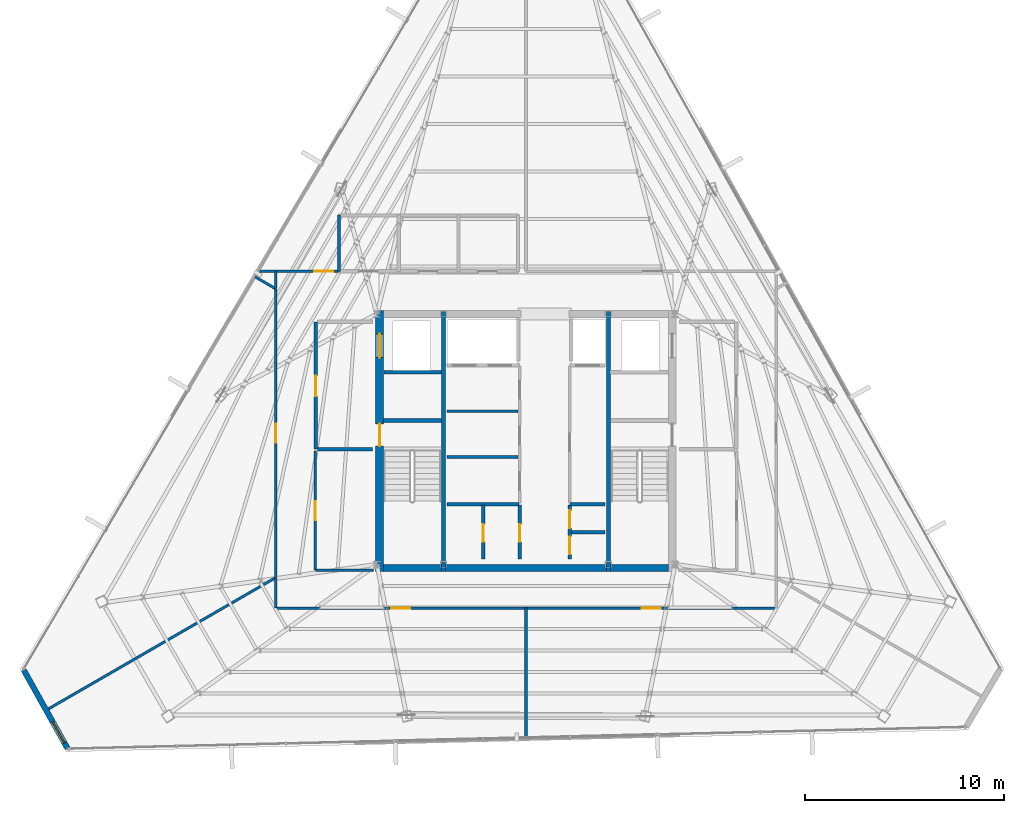
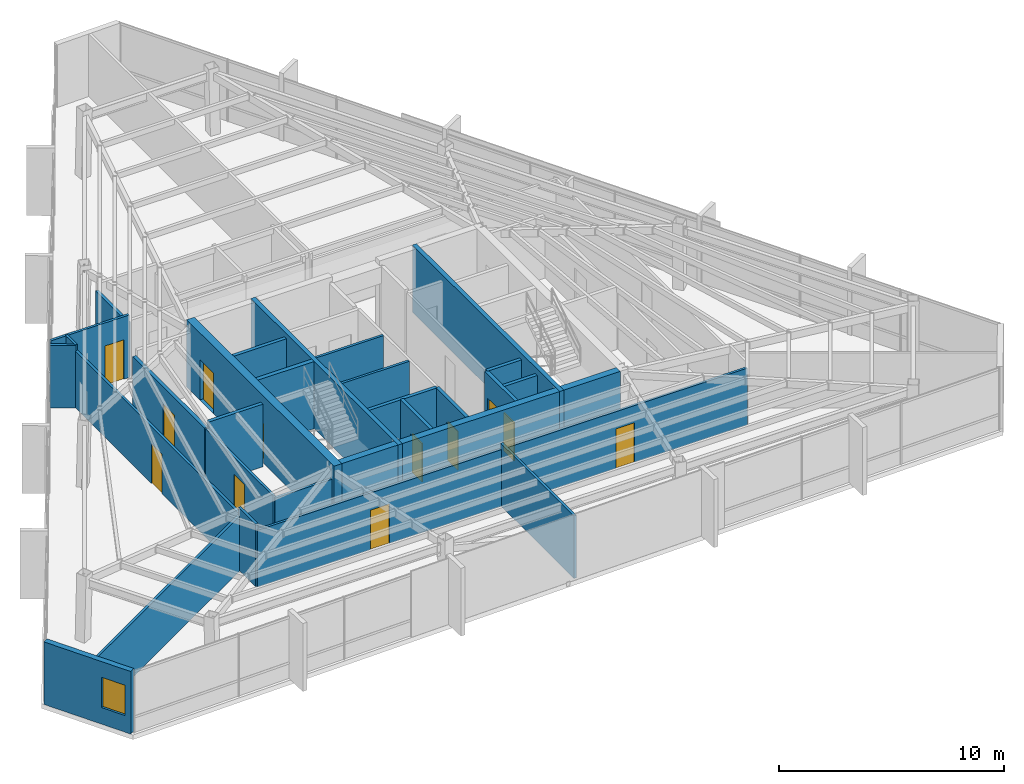
# One storey, part 44 of 48: 31 walls, 12 doors, 1 window, 13 openings.
"""IFC4 building model written with IfcOpenShell, lengths in metres."""

import ifcopenshell
import ifcopenshell.guid

model = None  # the IFC model being written
_history = None  # IfcOwnerHistory: only IFC2X3 demands one
_inside = {}  # id of a spatial element -> (the spatial element, [elements in it])
_under = {}  # id of a project, library or spatial element -> (it, [spatial elements below it])
_declared = {}  # id of a project -> (the project, [libraries it declares])
_typed = {}  # id of a type object -> (the type object, [elements of that type])
_made_of = {}  # id of a material, layer set ... -> (it, [elements and type objects made of it])


def new_model(schema):
    """Start an empty IFC model of exactly this schema.

    Asked for "IFC4X3", IfcOpenShell would pick the latest addendum, in which some entities
    have other attributes; the version numbers below select the first issue.
    IFC2X3 requires an IfcOwnerHistory on every rooted entity: one is made here for all.
    """
    global model, _history
    if schema == "IFC4X3":
        model = ifcopenshell.file(schema_version=(4, 3, 0, 0))
    else:
        model = ifcopenshell.file(schema=schema)
    _inside.clear()
    _under.clear()
    _declared.clear()
    _typed.clear()
    _made_of.clear()
    _history = None
    if model.schema == "IFC2X3":
        org = make("IfcOrganization", Name="unknown")
        user = make(
            "IfcPersonAndOrganization",
            ThePerson=make("IfcPerson", FamilyName="unknown"),
            TheOrganization=org,
        )
        app = make(
            "IfcApplication",
            ApplicationDeveloper=org,
            Version="unknown",
            ApplicationFullName="unknown",
            ApplicationIdentifier="unknown",
        )
        _history = make(
            "IfcOwnerHistory",
            OwningUser=user,
            OwningApplication=app,
            ChangeAction="ADDED",
            CreationDate=0,
        )
    return model


def make(cls, **values):
    """One entity of the class cls with the attributes given. An attribute that is None is left unset."""
    return model.create_entity(
        cls, **{name: value for name, value in values.items() if value is not None}
    )


def rooted(cls, **values):
    """An entity with a GlobalId (a new one), such as an element, a storey or a relation."""
    return make(cls, GlobalId=ifcopenshell.guid.new(), OwnerHistory=_history, **values)


def si_unit(unit_type, name, prefix=None):
    """IfcSIUnit, for example si_unit("LENGTHUNIT", "METRE", prefix="MILLI")."""
    return make("IfcSIUnit", UnitType=unit_type, Prefix=prefix, Name=name)


def assignment(units):
    """IfcUnitAssignment: the units of a project."""
    return None if units is None else make("IfcUnitAssignment", Units=units)


def point(xyz):
    """IfcCartesianPoint."""
    return None if xyz is None else make("IfcCartesianPoint", Coordinates=xyz)


def direction(xyz):
    """IfcDirection."""
    return None if xyz is None else make("IfcDirection", DirectionRatios=xyz)


def frame(location, z_axis=None, x_axis=None):
    """IfcAxis2Placement3D, a coordinate frame: its origin and axes. An axis left out is left unset."""
    return make(
        "IfcAxis2Placement3D",
        Location=point(location),
        Axis=direction(z_axis),
        RefDirection=direction(x_axis),
    )


def frame_2d(location, x_axis=None):
    """IfcAxis2Placement2D, a coordinate frame in the plane: its origin and x axis."""
    return make(
        "IfcAxis2Placement2D", Location=point(location), RefDirection=direction(x_axis)
    )


def origin():
    """The frame at (0, 0, 0) with its axes left unset."""
    return frame((0.0, 0.0, 0.0))


def place(relative_to, where):
    """IfcLocalPlacement: puts the frame where relative to a parent placement (None: the world)."""
    return make(
        "IfcLocalPlacement", PlacementRelTo=relative_to, RelativePlacement=where
    )


def context(
    kind, dimensions, precision=None, world=None, true_north=None, identifier=None
):
    """IfcGeometricRepresentationContext, for example the 3D "Model" context."""
    return make(
        "IfcGeometricRepresentationContext",
        ContextIdentifier=identifier,
        ContextType=kind,
        CoordinateSpaceDimension=dimensions,
        Precision=precision,
        WorldCoordinateSystem=world,
        TrueNorth=true_north,
    )


def subcontext(parent, identifier, kind, view, scale=None):
    """IfcGeometricRepresentationSubContext, for example "Body" below "Model"."""
    return make(
        "IfcGeometricRepresentationSubContext",
        ContextIdentifier=identifier,
        ContextType=kind,
        ParentContext=parent,
        TargetScale=scale,
        TargetView=view,
    )


def project(units=None, contexts=None):
    """IfcProject with its units and contexts."""
    return rooted(
        "IfcProject",
        Name="project",
        RepresentationContexts=contexts,
        UnitsInContext=assignment(units),
    )


def spatial(cls, under=None, at=None, **own):
    """A site, building, storey or space (cls), placed at a placement, below another one or the project."""
    s = rooted(cls, ObjectPlacement=at, **own)
    if under is not None:
        _under.setdefault(under.id(), (under, []))[1].append(s)
    return s


def profile(cls, at=None, kind="AREA", **sizes):
    """A parametric profile (cls). Its sizes go by their IFC names, for example OverallWidth=200.0."""
    return make(cls, ProfileType=kind, Position=at, **sizes)


def rectangle(**sizes):
    """IfcRectangleProfileDef."""
    return profile("IfcRectangleProfileDef", **sizes)


def extrude(swept, where, along, depth):
    """IfcExtrudedAreaSolid: the profile swept, set in the frame where, extruded along a direction by depth."""
    return make(
        "IfcExtrudedAreaSolid",
        SweptArea=swept,
        Position=where,
        ExtrudedDirection=direction(along),
        Depth=depth,
    )


def shape(context_of_items, identifier, shape_type, items):
    """IfcShapeRepresentation: the items that make up one representation, for example the "Body"."""
    return make(
        "IfcShapeRepresentation",
        ContextOfItems=context_of_items,
        RepresentationIdentifier=identifier,
        RepresentationType=shape_type,
        Items=items,
    )


def material(Name=None, Category=None):
    """IfcMaterial."""
    return make("IfcMaterial", Name=Name, Category=Category)


def layer(
    of_material, thickness, ventilated=None, Name=None, Category=None, Priority=None
):
    """IfcMaterialLayer: one layer of a wall or slab, of a material (None: an air gap)."""
    return make(
        "IfcMaterialLayer",
        Material=of_material,
        LayerThickness=thickness,
        IsVentilated=ventilated,
        Name=Name,
        Category=Category,
        Priority=Priority,
    )


def layer_set(layers, Name=None):
    """IfcMaterialLayerSet."""
    return make("IfcMaterialLayerSet", MaterialLayers=layers, LayerSetName=Name)


def made_of(thing, what):
    """Note that an element or type object is made of a material, layer set ...; save() writes the relation."""
    if what is not None:
        _made_of.setdefault(what.id(), (what, []))[1].append(thing)
    return thing


def type_object(cls, material=None, **own):
    """A type object (cls), such as IfcWallType, which elements share."""
    return made_of(rooted(cls, **own), material)


def element(
    cls,
    number,
    at=None,
    inside=None,
    cuts=None,
    type_object=None,
    material=None,
    context=None,
    identifier="Body",
    shape_type=None,
    held_by="IfcProductDefinitionShape",
    body=None,
    shapes=None,
    **own,
):
    """One element of the class cls, such as IfcWall. Its Tag is "e" and its number.

    at: its placement. inside: the storey or other place that contains it. cuts: it is an
    opening in that element (IfcRelVoidsElement). A single representation is given by context,
    identifier, shape_type and body (its items); several are given by shapes. held_by: the class
    of the entity that holds the representations. save() writes the other relations.
    """
    e = rooted(cls, Tag="e%d" % number, ObjectPlacement=at, **own)
    if body is not None:
        shapes = [shape(context, identifier, shape_type, body)]
    if shapes is not None:
        e.Representation = make(held_by, Representations=shapes)
    if inside is not None:
        _inside.setdefault(inside.id(), (inside, []))[1].append(e)
    if cuts is not None:
        rooted(
            "IfcRelVoidsElement", RelatingBuildingElement=cuts, RelatedOpeningElement=e
        )
    if type_object is not None:
        _typed.setdefault(type_object.id(), (type_object, []))[1].append(e)
    return made_of(e, material)


def fill(opening, filler):
    """IfcRelFillsElement: the door or window that sits in an opening."""
    return rooted(
        "IfcRelFillsElement",
        RelatingOpeningElement=opening,
        RelatedBuildingElement=filler,
    )


def aggregate(whole, parts):
    """IfcRelAggregates: a whole, such as a stair, and the parts it consists of."""
    return rooted("IfcRelAggregates", RelatingObject=whole, RelatedObjects=parts)


def save(model, path):
    """Write the relations noted so far, then the file.

    IfcRelAggregates (storeys below a building ...), IfcRelContainedInSpatialStructure (elements
    in a storey), IfcRelDefinesByType, IfcRelAssociatesMaterial and IfcRelDeclares: one each for
    every whole, place, type object, material and project.
    """
    for whole, parts in _under.values():
        aggregate(whole, parts)
    for where, things in _inside.values():
        rooted(
            "IfcRelContainedInSpatialStructure",
            RelatedElements=things,
            RelatingStructure=where,
        )
    for kind, things in _typed.values():
        rooted("IfcRelDefinesByType", RelatedObjects=things, RelatingType=kind)
    for what, things in _made_of.values():
        rooted("IfcRelAssociatesMaterial", RelatedObjects=things, RelatingMaterial=what)
    for by, libraries in _declared.values():
        rooted("IfcRelDeclares", RelatingContext=by, RelatedDefinitions=libraries)
    model.write(path)


model = new_model("IFC4")

# Units and contexts
model_context = context("Model", 3, precision=1e-05, world=origin(), true_north=direction((0.0, 1.0)))
body_context = subcontext(model_context, "Body", "Model", "MODEL_VIEW")
ifc_project = project(units=[si_unit("LENGTHUNIT", "METRE"), si_unit("AREAUNIT", "SQUARE_METRE"), si_unit("VOLUMEUNIT", "CUBIC_METRE"), si_unit("PLANEANGLEUNIT", "RADIAN"), si_unit("MASSUNIT", "GRAM", prefix="KILO")], contexts=[model_context])

# Site, building, storey
site_placement = place(None, origin())
site = spatial("IfcSite", under=ifc_project, at=site_placement, CompositionType="ELEMENT")
building_placement = place(site_placement, origin())
building = spatial("IfcBuilding", under=site, at=building_placement, Name="Caelisora Broadcast Tower", CompositionType="ELEMENT")
storey_placement = place(building_placement, frame((0.0, 0.0, 277.300048828125)))
storey = spatial("IfcBuildingStorey", under=building, at=storey_placement, Name="L73", CompositionType="ELEMENT", Elevation=277.300048828125)

# Wall, openings, doors
ifc_material_1 = material(Name="Concrete 40 MPa (AS 3600 N40)", Category="concrete")
ifc_layer_1 = layer(ifc_material_1, 0.39990234375, Name="Concrete 40 MPa (AS 3600 N40)")
ifc_layer_set_1 = layer_set([ifc_layer_1], Name="Concrete 40 MPa (AS 3600 N40)")
wall_type_1 = type_object("IfcWallType", Name="CW3", PredefinedType="SHEAR", material=ifc_layer_set_1)
wall_1_placement = place(storey_placement, frame((30.639892578125, 17.050048828125, 0.0), z_axis=(0.0, 0.0, 1.0), x_axis=(0.0, 1.0, 0.0)))
wall_1 = element("IfcWall", 1, at=wall_1_placement, inside=storey, type_object=wall_type_1, Name="L73 core shear wall CW3", PredefinedType="SHEAR", context=body_context, shape_type="SweptSolid", body=[
    extrude(rectangle(XDim=13.125, YDim=0.39990234375, at=frame_2d((6.5625, 0.0))), origin(), (0.0, 0.0, 1.0), 3.64990234375),
])
opening_1_placement = place(wall_1_placement, frame((6.300048828125, 0.0, 0.0)))
opening_1 = element("IfcOpeningElement", 2, at=opening_1_placement, cuts=wall_1, Name="Opening FD04", PredefinedType="OPENING", context=body_context, shape_type="SweptSolid", body=[
    extrude(rectangle(XDim=1.1201171875, YDim=2.14990234375, at=frame_2d((0.56005859375, 1.074951171875))), frame((0.0, 0.2119140625, 0.0), z_axis=(0.0, -1.0, 0.0), x_axis=(1.0, 0.0, 0.0)), (0.0, 0.0, 1.0), 0.423828125),
])
opening_2_placement = place(wall_1_placement, frame((10.75, 0.0, 0.0)))
opening_2 = element("IfcOpeningElement", 3, at=opening_2_placement, cuts=wall_1, Name="Opening LD04", PredefinedType="OPENING", context=body_context, shape_type="SweptSolid", body=[
    extrude(rectangle(XDim=1.199951171875, YDim=2.199951171875, at=frame_2d((0.60009765625, 1.10009765625))), frame((0.0, 0.2119140625, 0.0), z_axis=(0.0, -1.0, 0.0), x_axis=(1.0, 0.0, 0.0)), (0.0, 0.0, 1.0), 0.423828125),
])
ifc_material_2 = material(Name="Pressurised Fire-Isolated Stair Door", Category="steel")
door_type_1 = type_object("IfcDoorType", Name="FD04", OperationType="NOTDEFINED", PredefinedType="DOOR", material=ifc_material_2)
door_1_placement = place(opening_1_placement, origin())
door_1 = element("IfcDoor", 4, at=door_1_placement, inside=storey, type_object=door_type_1, Name="L73 door FD04 (L73-DR-ST1)", OperationType="SINGLE_SWING_LEFT", OverallHeight=2.14990234375, OverallWidth=1.1201171875, PredefinedType="DOOR", context=body_context, shape_type="SweptSolid", body=[
    extrude(rectangle(XDim=1.1201171875, YDim=2.14990234375, at=frame_2d((0.56005859375, 1.074951171875))), frame((0.0, 0.02490234375, 0.0), z_axis=(0.0, -1.0, 0.0), x_axis=(1.0, 0.0, 0.0)), (0.0, 0.0, 1.0), 0.050048828125),
])
fill(opening_1, door_1)
ifc_material_3 = material(Name="Emergency Firefighting Lift Sliding Landing Door", Category="steel")
door_type_2 = type_object("IfcDoorType", Name="LD04", OperationType="NOTDEFINED", PredefinedType="DOOR", material=ifc_material_3)
door_2_placement = place(opening_2_placement, origin())
door_2 = element("IfcDoor", 5, at=door_2_placement, inside=storey, type_object=door_type_2, Name="L73 door LD04 (L73-LD-FFL1)", OperationType="SLIDING_TO_LEFT", OverallHeight=2.199951171875, OverallWidth=1.199951171875, PredefinedType="DOOR", context=body_context, shape_type="SweptSolid", body=[
    extrude(rectangle(XDim=1.199951171875, YDim=2.199951171875, at=frame_2d((0.60009765625, 1.10009765625))), frame((0.0, 0.02490234375, 0.0), z_axis=(0.0, -1.0, 0.0), x_axis=(1.0, 0.0, 0.0)), (0.0, 0.0, 1.0), 0.050048828125),
])
fill(opening_2, door_2)

# Walls
ifc_layer_2 = layer(ifc_material_1, 0.35009765625, Name="Concrete 40 MPa (AS 3600 N40)")
ifc_layer_set_2 = layer_set([ifc_layer_2], Name="Concrete 40 MPa (AS 3600 N40)")
wall_type_2 = type_object("IfcWallType", Name="CW6", PredefinedType="SHEAR", material=ifc_layer_set_2)
wall_2_placement = place(storey_placement, frame((30.840087890625, 17.22509765625, 0.0), z_axis=(0.0, 0.0, 1.0), x_axis=(1.0, 0.0, 0.0)))
element("IfcWall", 6, at=wall_2_placement, inside=storey, type_object=wall_type_2, Name="L73 core shear wall CW6", PredefinedType="SHEAR", context=body_context, shape_type="SweptSolid", body=[
    extrude(rectangle(XDim=2.89990234375, YDim=0.35009765625, at=frame_2d((1.449951171875, 0.0))), origin(), (0.0, 0.0, 1.0), 3.64990234375),
])
wall_3_placement = place(storey_placement, frame((33.9599609375, 17.22509765625, 0.0), z_axis=(0.0, 0.0, 1.0), x_axis=(1.0, 0.0, 0.0)))
element("IfcWall", 7, at=wall_3_placement, inside=storey, type_object=wall_type_2, Name="L73 core shear wall CW6", PredefinedType="SHEAR", context=body_context, shape_type="SweptSolid", body=[
    extrude(rectangle(XDim=8.080078125, YDim=0.35009765625, at=frame_2d((4.0400390625, 0.0))), origin(), (0.0, 0.0, 1.0), 3.64990234375),
])
wall_4_placement = place(storey_placement, frame((42.260009765625, 17.22509765625, 0.0), z_axis=(0.0, 0.0, 1.0), x_axis=(1.0, 0.0, 0.0)))
element("IfcWall", 8, at=wall_4_placement, inside=storey, type_object=wall_type_2, Name="L73 core shear wall CW6", PredefinedType="SHEAR", context=body_context, shape_type="SweptSolid", body=[
    extrude(rectangle(XDim=2.89990234375, YDim=0.35009765625, at=frame_2d((1.449951171875, 0.0))), origin(), (0.0, 0.0, 1.0), 3.64990234375),
])
ifc_material_4 = material(Name="Concrete 50 MPa (AS 3600 S50)", Category="concrete")
ifc_layer_3 = layer(ifc_material_4, 0.219970703125, Name="Concrete 50 MPa (AS 3600 S50)")
ifc_layer_set_3 = layer_set([ifc_layer_3], Name="Concrete 50 MPa (AS 3600 S50)")
wall_type_3 = type_object("IfcWallType", Name="CW7", PredefinedType="SHEAR", material=ifc_layer_set_3)
for number, where, z_axis, x_axis, name in (
    (9, (33.85009765625, 17.050048828125, 0.0), (0.0, 0.0, 1.0), (0.0, 1.0, 0.0), "L73 core shear wall CW7"),
    (10, (42.14990234375, 17.050048828125, 0.0), (0.0, 0.0, 1.0), (0.0, 1.0, 0.0), "L73 core shear wall CW7"),
):
    element("IfcWall", number, at=place(storey_placement, frame(where, z_axis=z_axis, x_axis=x_axis)), inside=storey, type_object=wall_type_3, Name=name, PredefinedType="SHEAR", context=body_context, shape_type="SweptSolid", body=[
        extrude(rectangle(XDim=13.125, YDim=0.219970703125, at=frame_2d((6.5625, 0.0))), origin(), (0.0, 0.0, 1.0), 3.64990234375),
    ])
wall_5_placement = place(storey_placement, frame((30.840087890625, 24.639892578125, 0.0), z_axis=(0.0, 0.0, 1.0), x_axis=(1.0, 0.0, 0.0)))
element("IfcWall", 11, at=wall_5_placement, inside=storey, type_object=wall_type_3, Name="L73 core shear wall CW7", PredefinedType="SHEAR", context=body_context, shape_type="SweptSolid", body=[
    extrude(rectangle(XDim=2.89990234375, YDim=0.219970703125, at=frame_2d((1.449951171875, 0.0))), origin(), (0.0, 0.0, 1.0), 3.64990234375),
])

# Wall, opening, window
ifc_material_5 = material(Name="Insulated Terracotta Spandrel Wall System", Category="masonry")
ifc_layer_4 = layer(ifc_material_5, 0.280029296875, Name="Insulated Terracotta Spandrel Wall System")
ifc_layer_set_4 = layer_set([ifc_layer_4], Name="Insulated Terracotta Spandrel Wall System")
wall_type_4 = type_object("IfcWallType", Name="EW1", PredefinedType="STANDARD", material=ifc_layer_set_4)
wall_6_placement = place(storey_placement, frame((14.929443359375, 8.143310546875, 0.0), z_axis=(0.0, 0.0, 1.0), x_axis=(-0.487658816332, 0.873034294203, 0.0)))
wall_6 = element("IfcWall", 12, at=wall_6_placement, inside=storey, type_object=wall_type_4, Name="L73 exterior envelope wall EW1", PredefinedType="STANDARD", context=body_context, shape_type="SweptSolid", body=[
    extrude(rectangle(XDim=4.51123046875, YDim=0.280029296875, at=frame_2d((2.255615234375, 0.0))), origin(), (0.0, 0.0, 1.0), 3.39990234375),
])
opening_3_placement = place(wall_6_placement, frame((0.31005859375, 0.0, 0.89990234375)))
opening_3 = element("IfcOpeningElement", 13, at=opening_3_placement, cuts=wall_6, Name="Opening W03", PredefinedType="OPENING", context=body_context, shape_type="SweptSolid", body=[
    extrude(rectangle(XDim=1.199951171875, YDim=1.64990234375, at=frame_2d((0.60009765625, 0.824951171875))), frame((0.0, 0.152099609375, 0.0), z_axis=(0.0, -1.0, 0.0), x_axis=(1.0, 0.0, 0.0)), (0.0, 0.0, 1.0), 0.303955078125),
])
ifc_material_6 = material(Name="Double Glazed Corner Vision Window", Category="glass")
window_type = type_object("IfcWindowType", Name="W03", PartitioningType="SINGLE_PANEL", PredefinedType="WINDOW", material=ifc_material_6)
window_placement = place(opening_3_placement, origin())
window = element("IfcWindow", 14, at=window_placement, inside=storey, type_object=window_type, Name="L73 window W03 (L73-WN-CH4)", OverallHeight=1.64990234375, OverallWidth=1.199951171875, PartitioningType="SINGLE_PANEL", PredefinedType="WINDOW", context=body_context, shape_type="SweptSolid", body=[
    extrude(rectangle(XDim=1.199951171875, YDim=1.64990234375, at=frame_2d((0.60009765625, 0.824951171875))), frame((0.0, 0.030029296875, 0.0), z_axis=(0.0, -1.0, 0.0), x_axis=(1.0, 0.0, 0.0)), (0.0, 0.0, 1.0), 0.06005859375),
])
fill(opening_3, window)

# Wall, opening, door
ifc_material_7 = material(Name="Fire-Rated Gypsum Shaft and Compartment Wall", Category="gypsum")
ifc_layer_5 = layer(ifc_material_7, 0.179931640625, Name="Fire-Rated Gypsum Shaft and Compartment Wall")
ifc_layer_set_5 = layer_set([ifc_layer_5], Name="Fire-Rated Gypsum Shaft and Compartment Wall")
wall_type_5 = type_object("IfcWallType", Name="PW2", PredefinedType="PARTITIONING", material=ifc_layer_set_5)
wall_7_placement = place(storey_placement, frame((27.419921875, 23.199951171875, 0.0), z_axis=(0.0, 0.0, 1.0), x_axis=(0.0, 1.0, 0.0)))
wall_7 = element("IfcWall", 15, at=wall_7_placement, inside=storey, type_object=wall_type_5, Name="L73 fire compartment wall PW2", PredefinedType="PARTITIONING", context=body_context, shape_type="SweptSolid", body=[
    extrude(rectangle(XDim=6.400146484375, YDim=0.179931640625, at=frame_2d((3.2001953125, 0.0))), origin(), (0.0, 0.0, 1.0), 3.0849609375),
])
opening_4_placement = place(wall_7_placement, frame((2.64990234375, 0.0, 0.0)))
opening_4 = element("IfcOpeningElement", 16, at=opening_4_placement, cuts=wall_7, Name="Opening FD02", PredefinedType="OPENING", context=body_context, shape_type="SweptSolid", body=[
    extrude(rectangle(XDim=1.050048828125, YDim=2.14990234375, at=frame_2d((0.52490234375, 1.074951171875))), frame((0.0, 0.10205078125, 0.0), z_axis=(0.0, -1.0, 0.0), x_axis=(1.0, 0.0, 0.0)), (0.0, 0.0, 1.0), 0.203857421875),
])
ifc_material_8 = material(Name="Single-Leaf Steel Fire Lobby Door", Category="steel")
door_type_3 = type_object("IfcDoorType", Name="FD02", OperationType="NOTDEFINED", PredefinedType="DOOR", material=ifc_material_8)
door_3_placement = place(opening_4_placement, origin())
door_3 = element("IfcDoor", 17, at=door_3_placement, inside=storey, type_object=door_type_3, Name="L73 door FD02 (L73-DR-P01D1)", OperationType="SINGLE_SWING_RIGHT", OverallHeight=2.14990234375, OverallWidth=1.050048828125, PredefinedType="DOOR", context=body_context, shape_type="SweptSolid", body=[
    extrude(rectangle(XDim=1.050048828125, YDim=2.14990234375, at=frame_2d((0.52490234375, 1.074951171875))), frame((0.0, 0.02490234375, 0.0), z_axis=(0.0, -1.0, 0.0), x_axis=(1.0, 0.0, 0.0)), (0.0, 0.0, 1.0), 0.050048828125),
])
fill(opening_4, door_3)

# Walls
wall_8_placement = place(storey_placement, frame((27.52001953125, 23.199951171875, 0.0), z_axis=(0.0, 0.0, 1.0), x_axis=(1.0, 0.0, 0.0)))
element("IfcWall", 18, at=wall_8_placement, inside=storey, type_object=wall_type_5, Name="L73 fire compartment wall PW2", PredefinedType="PARTITIONING", context=body_context, shape_type="SweptSolid", body=[
    extrude(rectangle(XDim=2.760009765625, YDim=0.179931640625, at=frame_2d((1.3798828125, 0.0))), origin(), (0.0, 0.0, 1.0), 3.39990234375),
])
wall_9_placement = place(storey_placement, frame((30.860107421875, 27.070068359375, 0.0), z_axis=(0.0, 0.0, 1.0), x_axis=(1.0, 0.0, 0.0)))
element("IfcWall", 19, at=wall_9_placement, inside=storey, type_object=wall_type_5, Name="L73 fire compartment wall PW2", PredefinedType="PARTITIONING", context=body_context, shape_type="SweptSolid", body=[
    extrude(rectangle(XDim=2.89990234375, YDim=0.179931640625, at=frame_2d((1.449951171875, 0.0))), origin(), (0.0, 0.0, 1.0), 3.39990234375),
])
wall_10_placement = place(storey_placement, frame((34.02001953125, 20.419921875, 0.0), z_axis=(0.0, 0.0, 1.0), x_axis=(1.0, 0.0, 0.0)))
element("IfcWall", 20, at=wall_10_placement, inside=storey, type_object=wall_type_5, Name="L73 fire compartment wall PW2", PredefinedType="PARTITIONING", context=body_context, shape_type="SweptSolid", body=[
    extrude(rectangle(XDim=3.639892578125, YDim=0.179931640625, at=frame_2d((1.81982421875, 0.0))), origin(), (0.0, 0.0, 1.0), 3.39990234375),
])
wall_11_placement = place(storey_placement, frame((40.219970703125, 20.419921875, 0.0), z_axis=(0.0, 0.0, 1.0), x_axis=(1.0, 0.0, 0.0)))
element("IfcWall", 21, at=wall_11_placement, inside=storey, type_object=wall_type_5, Name="L73 fire compartment wall PW2", PredefinedType="PARTITIONING", context=body_context, shape_type="SweptSolid", body=[
    extrude(rectangle(XDim=1.760009765625, YDim=0.179931640625, at=frame_2d((0.8798828125, 0.0))), origin(), (0.0, 0.0, 1.0), 3.39990234375),
])

# Wall, opening, door
wall_12_placement = place(storey_placement, frame((35.840087890625, 17.679931640625, 0.0), z_axis=(0.0, 0.0, 1.0), x_axis=(0.0, 1.0, 0.0)))
wall_12 = element("IfcWall", 22, at=wall_12_placement, inside=storey, type_object=wall_type_5, Name="L73 fire compartment wall PW2", PredefinedType="PARTITIONING", context=body_context, shape_type="SweptSolid", body=[
    extrude(rectangle(XDim=2.699951171875, YDim=0.179931640625, at=frame_2d((1.35009765625, 0.0))), origin(), (0.0, 0.0, 1.0), 3.39990234375),
])
opening_5_placement = place(wall_12_placement, frame((0.85009765625, 0.0, 0.0)))
opening_5 = element("IfcOpeningElement", 23, at=opening_5_placement, cuts=wall_12, Name="Opening FD03", PredefinedType="OPENING", context=body_context, shape_type="SweptSolid", body=[
    extrude(rectangle(XDim=0.89990234375, YDim=2.10009765625, at=frame_2d((0.449951171875, 1.050048828125))), frame((0.0, 0.10205078125, 0.0), z_axis=(0.0, -1.0, 0.0), x_axis=(1.0, 0.0, 0.0)), (0.0, 0.0, 1.0), 0.203857421875),
])
ifc_material_9 = material(Name="Single-Leaf Steel Riser Fire Access Door", Category="steel")
door_type_4 = type_object("IfcDoorType", Name="FD03", OperationType="NOTDEFINED", PredefinedType="DOOR", material=ifc_material_9)
door_4_placement = place(opening_5_placement, origin())
door_4 = element("IfcDoor", 24, at=door_4_placement, inside=storey, type_object=door_type_4, Name="L73 door FD03 (L73-DR-P15D1)", OperationType="SINGLE_SWING_RIGHT", OverallHeight=2.10009765625, OverallWidth=0.89990234375, PredefinedType="DOOR", context=body_context, shape_type="SweptSolid", body=[
    extrude(rectangle(XDim=0.89990234375, YDim=2.10009765625, at=frame_2d((0.449951171875, 1.050048828125))), frame((0.0, 0.02490234375, 0.0), z_axis=(0.0, -1.0, 0.0), x_axis=(1.0, 0.0, 0.0)), (0.0, 0.0, 1.0), 0.050048828125),
])
fill(opening_5, door_4)

wall_13_placement = place(storey_placement, frame((37.679931640625, 17.679931640625, 0.0), z_axis=(0.0, 0.0, 1.0), x_axis=(0.0, 1.0, 0.0)))
wall_13 = element("IfcWall", 25, at=wall_13_placement, inside=storey, type_object=wall_type_5, Name="L73 fire compartment wall PW2", PredefinedType="PARTITIONING", context=body_context, shape_type="SweptSolid", body=[
    extrude(rectangle(XDim=2.699951171875, YDim=0.179931640625, at=frame_2d((1.35009765625, 0.0))), origin(), (0.0, 0.0, 1.0), 3.39990234375),
])
opening_6_placement = place(wall_13_placement, frame((0.85009765625, 0.0, 0.0)))
opening_6 = element("IfcOpeningElement", 26, at=opening_6_placement, cuts=wall_13, Name="Opening FD03", PredefinedType="OPENING", context=body_context, shape_type="SweptSolid", body=[
    extrude(rectangle(XDim=0.89990234375, YDim=2.10009765625, at=frame_2d((0.449951171875, 1.050048828125))), frame((0.0, 0.10205078125, 0.0), z_axis=(0.0, -1.0, 0.0), x_axis=(1.0, 0.0, 0.0)), (0.0, 0.0, 1.0), 0.203857421875),
])
door_5_placement = place(opening_6_placement, origin())
door_5 = element("IfcDoor", 27, at=door_5_placement, inside=storey, type_object=door_type_4, Name="L73 door FD03 (L73-DR-P16D1)", OperationType="SINGLE_SWING_LEFT", OverallHeight=2.10009765625, OverallWidth=0.89990234375, PredefinedType="DOOR", context=body_context, shape_type="SweptSolid", body=[
    extrude(rectangle(XDim=0.89990234375, YDim=2.10009765625, at=frame_2d((0.449951171875, 1.050048828125))), frame((0.0, 0.02490234375, 0.0), z_axis=(0.0, -1.0, 0.0), x_axis=(1.0, 0.0, 0.0)), (0.0, 0.0, 1.0), 0.050048828125),
])
fill(opening_6, door_5)

# Wall
wall_14_placement = place(storey_placement, frame((40.280029296875, 19.02001953125, 0.0), z_axis=(0.0, 0.0, 1.0), x_axis=(1.0, 0.0, 0.0)))
element("IfcWall", 28, at=wall_14_placement, inside=storey, type_object=wall_type_5, Name="L73 fire compartment wall PW2", PredefinedType="PARTITIONING", context=body_context, shape_type="SweptSolid", body=[
    extrude(rectangle(XDim=1.699951171875, YDim=0.179931640625, at=frame_2d((0.85009765625, 0.0))), origin(), (0.0, 0.0, 1.0), 3.39990234375),
])

# Wall, openings, doors
wall_15_placement = place(storey_placement, frame((40.199951171875, 17.679931640625, 0.0), z_axis=(0.0, 0.0, 1.0), x_axis=(0.0, 1.0, 0.0)))
wall_15 = element("IfcWall", 29, at=wall_15_placement, inside=storey, type_object=wall_type_5, Name="L73 fire compartment wall PW2", PredefinedType="PARTITIONING", context=body_context, shape_type="SweptSolid", body=[
    extrude(rectangle(XDim=2.699951171875, YDim=0.179931640625, at=frame_2d((1.35009765625, 0.0))), origin(), (0.0, 0.0, 1.0), 3.39990234375),
])
opening_7_placement = place(wall_15_placement, frame((0.219970703125, 0.0, 0.0)))
opening_7 = element("IfcOpeningElement", 30, at=opening_7_placement, cuts=wall_15, Name="Opening FD03", PredefinedType="OPENING", context=body_context, shape_type="SweptSolid", body=[
    extrude(rectangle(XDim=0.89990234375, YDim=2.10009765625, at=frame_2d((0.449951171875, 1.050048828125))), frame((0.0, 0.10205078125, 0.0), z_axis=(0.0, -1.0, 0.0), x_axis=(1.0, 0.0, 0.0)), (0.0, 0.0, 1.0), 0.203857421875),
])
opening_8_placement = place(wall_15_placement, frame((1.5400390625, 0.0, 0.0)))
opening_8 = element("IfcOpeningElement", 31, at=opening_8_placement, cuts=wall_15, Name="Opening FD03", PredefinedType="OPENING", context=body_context, shape_type="SweptSolid", body=[
    extrude(rectangle(XDim=0.89990234375, YDim=2.10009765625, at=frame_2d((0.449951171875, 1.050048828125))), frame((0.0, 0.10205078125, 0.0), z_axis=(0.0, -1.0, 0.0), x_axis=(1.0, 0.0, 0.0)), (0.0, 0.0, 1.0), 0.203857421875),
])
door_6_placement = place(opening_7_placement, origin())
door_6 = element("IfcDoor", 32, at=door_6_placement, inside=storey, type_object=door_type_4, Name="L73 door FD03 (L73-DR-P18D1)", OperationType="SINGLE_SWING_RIGHT", OverallHeight=2.10009765625, OverallWidth=0.89990234375, PredefinedType="DOOR", context=body_context, shape_type="SweptSolid", body=[
    extrude(rectangle(XDim=0.89990234375, YDim=2.10009765625, at=frame_2d((0.449951171875, 1.050048828125))), frame((0.0, 0.02490234375, 0.0), z_axis=(0.0, -1.0, 0.0), x_axis=(1.0, 0.0, 0.0)), (0.0, 0.0, 1.0), 0.050048828125),
])
fill(opening_7, door_6)
door_7_placement = place(opening_8_placement, origin())
door_7 = element("IfcDoor", 33, at=door_7_placement, inside=storey, type_object=door_type_4, Name="L73 door FD03 (L73-DR-P18D2)", OperationType="SINGLE_SWING_LEFT", OverallHeight=2.10009765625, OverallWidth=0.89990234375, PredefinedType="DOOR", context=body_context, shape_type="SweptSolid", body=[
    extrude(rectangle(XDim=0.89990234375, YDim=2.10009765625, at=frame_2d((0.449951171875, 1.050048828125))), frame((0.0, 0.02490234375, 0.0), z_axis=(0.0, -1.0, 0.0), x_axis=(1.0, 0.0, 0.0)), (0.0, 0.0, 1.0), 0.050048828125),
])
fill(opening_8, door_7)

# Walls
ifc_material_10 = material(Name="Acoustic Steel-Stud Plasterboard Partition", Category="gypsum")
ifc_layer_6 = layer(ifc_material_10, 0.1298828125, Name="Acoustic Steel-Stud Plasterboard Partition")
ifc_layer_set_6 = layer_set([ifc_layer_6], Name="Acoustic Steel-Stud Plasterboard Partition")
wall_type_6 = type_object("IfcWallType", Name="PW3", PredefinedType="PARTITIONING", material=ifc_layer_set_6)
for number, where, z_axis, x_axis, name in (
    (34, (34.02001953125, 22.800048828125, 0.0), (0.0, 0.0, 1.0), (1.0, 0.0, 0.0), "L73 internal partition PW3"),
    (35, (34.02001953125, 25.10009765625, 0.0), (0.0, 0.0, 1.0), (1.0, 0.0, 0.0), "L73 internal partition PW3"),
):
    element("IfcWall", number, at=place(storey_placement, frame(where, z_axis=z_axis, x_axis=x_axis)), inside=storey, type_object=wall_type_6, Name=name, PredefinedType="PARTITIONING", context=body_context, shape_type="SweptSolid", body=[
        extrude(rectangle(XDim=3.580078125, YDim=0.1298828125, at=frame_2d((1.7900390625, 0.0))), origin(), (0.0, 0.0, 1.0), 3.39990234375),
    ])

# Wall, opening, door
wall_16_placement = place(storey_placement, frame((25.39990234375, 16.735107421875, 0.0), z_axis=(0.0, 0.0, 1.0), x_axis=(0.0, 1.0, 0.0)))
wall_16 = element("IfcWall", 36, at=wall_16_placement, inside=storey, type_object=wall_type_6, Name="L73 internal partition PW3", PredefinedType="PARTITIONING", context=body_context, shape_type="SweptSolid", body=[
    extrude(rectangle(XDim=14.52978515625, YDim=0.1298828125, at=frame_2d((7.264892578125, 0.0))), origin(), (0.0, 0.0, 1.0), 3.0849609375),
])
opening_9_placement = place(wall_16_placement, frame((6.784912109375, 0.0, 0.0)))
opening_9 = element("IfcOpeningElement", 37, at=opening_9_placement, cuts=wall_16, Name="Opening D01", PredefinedType="OPENING", context=body_context, shape_type="SweptSolid", body=[
    extrude(rectangle(XDim=0.9599609375, YDim=2.14990234375, at=frame_2d((0.47998046875, 1.074951171875))), frame((0.0, 0.076904296875, 0.0), z_axis=(0.0, -1.0, 0.0), x_axis=(1.0, 0.0, 0.0)), (0.0, 0.0, 1.0), 0.15380859375),
])
ifc_material_11 = material(Name="Solid-Core Timber Acoustic Office Door", Category="wood")
door_type_5 = type_object("IfcDoorType", Name="D01", OperationType="NOTDEFINED", PredefinedType="DOOR", material=ifc_material_11)
door_8_placement = place(opening_9_placement, origin())
door_8 = element("IfcDoor", 38, at=door_8_placement, inside=storey, type_object=door_type_5, Name="L73 door D01 (L73-DR-P31D1)", OperationType="SINGLE_SWING_RIGHT", OverallHeight=2.14990234375, OverallWidth=0.9599609375, PredefinedType="DOOR", context=body_context, shape_type="SweptSolid", body=[
    extrude(rectangle(XDim=0.9599609375, YDim=2.14990234375, at=frame_2d((0.47998046875, 1.074951171875))), frame((0.0, 0.02490234375, 0.0), z_axis=(0.0, -1.0, 0.0), x_axis=(1.0, 0.0, 0.0)), (0.0, 0.0, 1.0), 0.050048828125),
])
fill(opening_9, door_8)

# Wall
wall_17_placement = place(storey_placement, frame((13.85400390625, 10.05859375, 0.0), z_axis=(0.0, 0.0, 1.0), x_axis=(0.865873183118, 0.500263561293, 0.0)))
element("IfcWall", 39, at=wall_17_placement, inside=storey, type_object=wall_type_6, Name="L73 internal partition PW3", PredefinedType="PARTITIONING", context=body_context, shape_type="SweptSolid", body=[
    extrude(rectangle(XDim=13.329833984375, YDim=0.1298828125, at=frame_2d((6.6650390625, 0.0))), origin(), (0.0, 0.0, 1.0), 2.98486328125),
])

# Wall, opening, door
wall_18_placement = place(storey_placement, frame((38.0048828125, 15.199951171875, 0.0), z_axis=(0.0, 0.0, 1.0), x_axis=(1.0, 0.0, 0.0)))
wall_18 = element("IfcWall", 40, at=wall_18_placement, inside=storey, type_object=wall_type_6, Name="L73 internal partition PW3", PredefinedType="PARTITIONING", context=body_context, shape_type="SweptSolid", body=[
    extrude(rectangle(XDim=12.590087890625, YDim=0.1298828125, at=frame_2d((6.294921875, 0.0))), origin(), (0.0, 0.0, 1.0), 3.0849609375),
])
opening_10_placement = place(wall_18_placement, frame((5.81494140625, 0.0, 0.0)))
opening_10 = element("IfcOpeningElement", 41, at=opening_10_placement, cuts=wall_18, Name="Opening D01", PredefinedType="OPENING", context=body_context, shape_type="SweptSolid", body=[
    extrude(rectangle(XDim=0.9599609375, YDim=2.14990234375, at=frame_2d((0.47998046875, 1.074951171875))), frame((0.0, 0.076904296875, 0.0), z_axis=(0.0, -1.0, 0.0), x_axis=(1.0, 0.0, 0.0)), (0.0, 0.0, 1.0), 0.15380859375),
])
door_9_placement = place(opening_10_placement, origin())
door_9 = element("IfcDoor", 42, at=door_9_placement, inside=storey, type_object=door_type_5, Name="L73 door D01 (L73-DR-P34D1)", OperationType="SINGLE_SWING_RIGHT", OverallHeight=2.14990234375, OverallWidth=0.9599609375, PredefinedType="DOOR", context=body_context, shape_type="SweptSolid", body=[
    extrude(rectangle(XDim=0.9599609375, YDim=2.14990234375, at=frame_2d((0.47998046875, 1.074951171875))), frame((0.0, 0.02490234375, 0.0), z_axis=(0.0, -1.0, 0.0), x_axis=(1.0, 0.0, 0.0)), (0.0, 0.0, 1.0), 0.050048828125),
])
fill(opening_10, door_9)

wall_19_placement = place(storey_placement, frame((25.405029296875, 15.199951171875, 0.0), z_axis=(0.0, 0.0, 1.0), x_axis=(1.0, 0.0, 0.0)))
wall_19 = element("IfcWall", 43, at=wall_19_placement, inside=storey, type_object=wall_type_6, Name="L73 internal partition PW3", PredefinedType="PARTITIONING", context=body_context, shape_type="SweptSolid", body=[
    extrude(rectangle(XDim=12.590087890625, YDim=0.1298828125, at=frame_2d((6.294921875, 0.0))), origin(), (0.0, 0.0, 1.0), 3.0849609375),
])
opening_11_placement = place(wall_19_placement, frame((5.81494140625, 0.0, 0.0)))
opening_11 = element("IfcOpeningElement", 44, at=opening_11_placement, cuts=wall_19, Name="Opening D01", PredefinedType="OPENING", context=body_context, shape_type="SweptSolid", body=[
    extrude(rectangle(XDim=0.9599609375, YDim=2.14990234375, at=frame_2d((0.47998046875, 1.074951171875))), frame((0.0, 0.076904296875, 0.0), z_axis=(0.0, -1.0, 0.0), x_axis=(1.0, 0.0, 0.0)), (0.0, 0.0, 1.0), 0.15380859375),
])
door_10_placement = place(opening_11_placement, origin())
door_10 = element("IfcDoor", 45, at=door_10_placement, inside=storey, type_object=door_type_5, Name="L73 door D01 (L73-DR-P35D1)", OperationType="SINGLE_SWING_LEFT", OverallHeight=2.14990234375, OverallWidth=0.9599609375, PredefinedType="DOOR", context=body_context, shape_type="SweptSolid", body=[
    extrude(rectangle(XDim=0.9599609375, YDim=2.14990234375, at=frame_2d((0.47998046875, 1.074951171875))), frame((0.0, 0.02490234375, 0.0), z_axis=(0.0, -1.0, 0.0), x_axis=(1.0, 0.0, 0.0)), (0.0, 0.0, 1.0), 0.050048828125),
])
fill(opening_11, door_10)

# Wall
wall_20_placement = place(storey_placement, frame((38.0, 8.670654296875, 0.0), z_axis=(0.0, 0.0, 1.0), x_axis=(0.0, 1.0, 0.0)))
element("IfcWall", 46, at=wall_20_placement, inside=storey, type_object=wall_type_6, Name="L73 internal partition PW3", PredefinedType="PARTITIONING", context=body_context, shape_type="SweptSolid", body=[
    extrude(rectangle(XDim=6.5244140625, YDim=0.1298828125, at=frame_2d((3.26220703125, 0.0))), origin(), (0.0, 0.0, 1.0), 3.39990234375),
])

# Wall, opening, door
wall_21_placement = place(storey_placement, frame((27.39990234375, 17.10498046875, 0.0), z_axis=(0.0, 0.0, 1.0), x_axis=(0.0, 1.0, 0.0)))
wall_21 = element("IfcWall", 47, at=wall_21_placement, inside=storey, type_object=wall_type_6, Name="L73 internal partition PW3", PredefinedType="PARTITIONING", context=body_context, shape_type="SweptSolid", body=[
    extrude(rectangle(XDim=6.0, YDim=0.1298828125, at=frame_2d((3.0, 0.0))), origin(), (0.0, 0.0, 1.0), 3.0849609375),
])
opening_12_placement = place(wall_21_placement, frame((2.52001953125, 0.0, 0.0)))
opening_12 = element("IfcOpeningElement", 48, at=opening_12_placement, cuts=wall_21, Name="Opening D01", PredefinedType="OPENING", context=body_context, shape_type="SweptSolid", body=[
    extrude(rectangle(XDim=0.9599609375, YDim=2.14990234375, at=frame_2d((0.47998046875, 1.074951171875))), frame((0.0, 0.076904296875, 0.0), z_axis=(0.0, -1.0, 0.0), x_axis=(1.0, 0.0, 0.0)), (0.0, 0.0, 1.0), 0.15380859375),
])
door_11_placement = place(opening_12_placement, origin())
door_11 = element("IfcDoor", 49, at=door_11_placement, inside=storey, type_object=door_type_5, Name="L73 door D01 (L73-DR-P40D1)", OperationType="SINGLE_SWING_RIGHT", OverallHeight=2.14990234375, OverallWidth=0.9599609375, PredefinedType="DOOR", context=body_context, shape_type="SweptSolid", body=[
    extrude(rectangle(XDim=0.9599609375, YDim=2.14990234375, at=frame_2d((0.47998046875, 1.074951171875))), frame((0.0, 0.02490234375, 0.0), z_axis=(0.0, -1.0, 0.0), x_axis=(1.0, 0.0, 0.0)), (0.0, 0.0, 1.0), 0.050048828125),
])
fill(opening_12, door_11)

wall_22_placement = place(storey_placement, frame((24.5751953125, 32.14990234375, 0.0), z_axis=(0.0, 0.0, 1.0), x_axis=(1.0, 0.0, 0.0)))
wall_22 = element("IfcWall", 50, at=wall_22_placement, inside=storey, type_object=wall_type_6, Name="L73 internal partition PW3", PredefinedType="PARTITIONING", context=body_context, shape_type="SweptSolid", body=[
    extrude(rectangle(XDim=4.019775390625, YDim=0.1298828125, at=frame_2d((2.009765625, 0.0))), origin(), (0.0, 0.0, 1.0), 3.39990234375),
])
opening_13_placement = place(wall_22_placement, frame((2.780029296875, 0.0, 0.0)))
opening_13 = element("IfcOpeningElement", 51, at=opening_13_placement, cuts=wall_22, Name="Opening D01", PredefinedType="OPENING", context=body_context, shape_type="SweptSolid", body=[
    extrude(rectangle(XDim=0.9599609375, YDim=2.14990234375, at=frame_2d((0.47998046875, 1.074951171875))), frame((0.0, 0.076904296875, 0.0), z_axis=(0.0, -1.0, 0.0), x_axis=(1.0, 0.0, 0.0)), (0.0, 0.0, 1.0), 0.15380859375),
])
door_12_placement = place(opening_13_placement, origin())
door_12 = element("IfcDoor", 52, at=door_12_placement, inside=storey, type_object=door_type_5, Name="L73 door D01 (L73-DR-P42D1)", OperationType="SINGLE_SWING_RIGHT", OverallHeight=2.14990234375, OverallWidth=0.9599609375, PredefinedType="DOOR", context=body_context, shape_type="SweptSolid", body=[
    extrude(rectangle(XDim=0.9599609375, YDim=2.14990234375, at=frame_2d((0.47998046875, 1.074951171875))), frame((0.0, 0.02490234375, 0.0), z_axis=(0.0, -1.0, 0.0), x_axis=(1.0, 0.0, 0.0)), (0.0, 0.0, 1.0), 0.050048828125),
])
fill(opening_13, door_12)

# Walls
wall_23_placement = place(storey_placement, frame((30.324951171875, 17.10009765625, 0.0), z_axis=(0.0, 0.0, 1.0), x_axis=(-1.0, 0.0, 0.0)))
element("IfcWall", 53, at=wall_23_placement, inside=storey, type_object=wall_type_6, Name="L73 internal partition PW3", PredefinedType="PARTITIONING", context=body_context, shape_type="SweptSolid", body=[
    extrude(rectangle(XDim=2.919921875, YDim=0.1298828125, at=frame_2d((1.4599609375, 0.0))), origin(), (0.0, 0.0, 1.0), 2.98486328125),
])
wall_24_placement = place(storey_placement, frame((25.39990234375, 16.72509765625, 0.0), z_axis=(0.0, 0.0, 1.0), x_axis=(0.0, -1.0, 0.0)))
element("IfcWall", 54, at=wall_24_placement, inside=storey, type_object=wall_type_6, Name="L73 internal partition PW3", PredefinedType="PARTITIONING", context=body_context, shape_type="SweptSolid", body=[
    extrude(rectangle(XDim=1.52001953125, YDim=0.1298828125, at=frame_2d((0.760009765625, 0.0))), origin(), (0.0, 0.0, 1.0), 3.39990234375),
])
wall_25_placement = place(storey_placement, frame((24.3798828125, 31.863525390625, 0.0), z_axis=(0.0, 0.0, 1.0), x_axis=(0.864576450131, -0.50250130535, 0.0)))
element("IfcWall", 55, at=wall_25_placement, inside=storey, type_object=wall_type_6, Name="L73 internal partition PW3", PredefinedType="PARTITIONING", context=body_context, shape_type="SweptSolid", body=[
    extrude(rectangle(XDim=1.17529296875, YDim=0.1298828125, at=frame_2d((0.587646484375, 0.0))), origin(), (0.0, 0.0, 1.0), 3.39990234375),
])
wall_26_placement = place(storey_placement, frame((25.39990234375, 31.27490234375, 0.0), z_axis=(0.0, 0.0, 1.0), x_axis=(0.0, 1.0, 0.0)))
element("IfcWall", 56, at=wall_26_placement, inside=storey, type_object=wall_type_6, Name="L73 internal partition PW3", PredefinedType="PARTITIONING", context=body_context, shape_type="SweptSolid", body=[
    extrude(rectangle(XDim=0.8701171875, YDim=0.1298828125, at=frame_2d((0.43505859375, 0.0))), origin(), (0.0, 0.0, 1.0), 3.39990234375),
])
ifc_material_12 = material(Name="Moisture-Resistant Wet Plumbing Service Wall", Category="gypsum")
ifc_layer_7 = layer(ifc_material_12, 0.159912109375, Name="Moisture-Resistant Wet Plumbing Service Wall")
ifc_layer_set_7 = layer_set([ifc_layer_7], Name="Moisture-Resistant Wet Plumbing Service Wall")
wall_type_7 = type_object("IfcWallType", Name="PW4", PredefinedType="PLUMBINGWALL", material=ifc_layer_set_7)
wall_27_placement = place(storey_placement, frame((28.60009765625, 32.125, 0.0), z_axis=(0.0, 0.0, 1.0), x_axis=(0.0, 1.0, 0.0)))
element("IfcWall", 57, at=wall_27_placement, inside=storey, type_object=wall_type_7, Name="L73 wet plumbing wall PW4", PredefinedType="PLUMBINGWALL", context=body_context, shape_type="SweptSolid", body=[
    extrude(rectangle(XDim=2.85009765625, YDim=0.159912109375, at=frame_2d((1.425048828125, 0.0))), origin(), (0.0, 0.0, 1.0), 2.98486328125),
])

save(model, "model.ifc")
